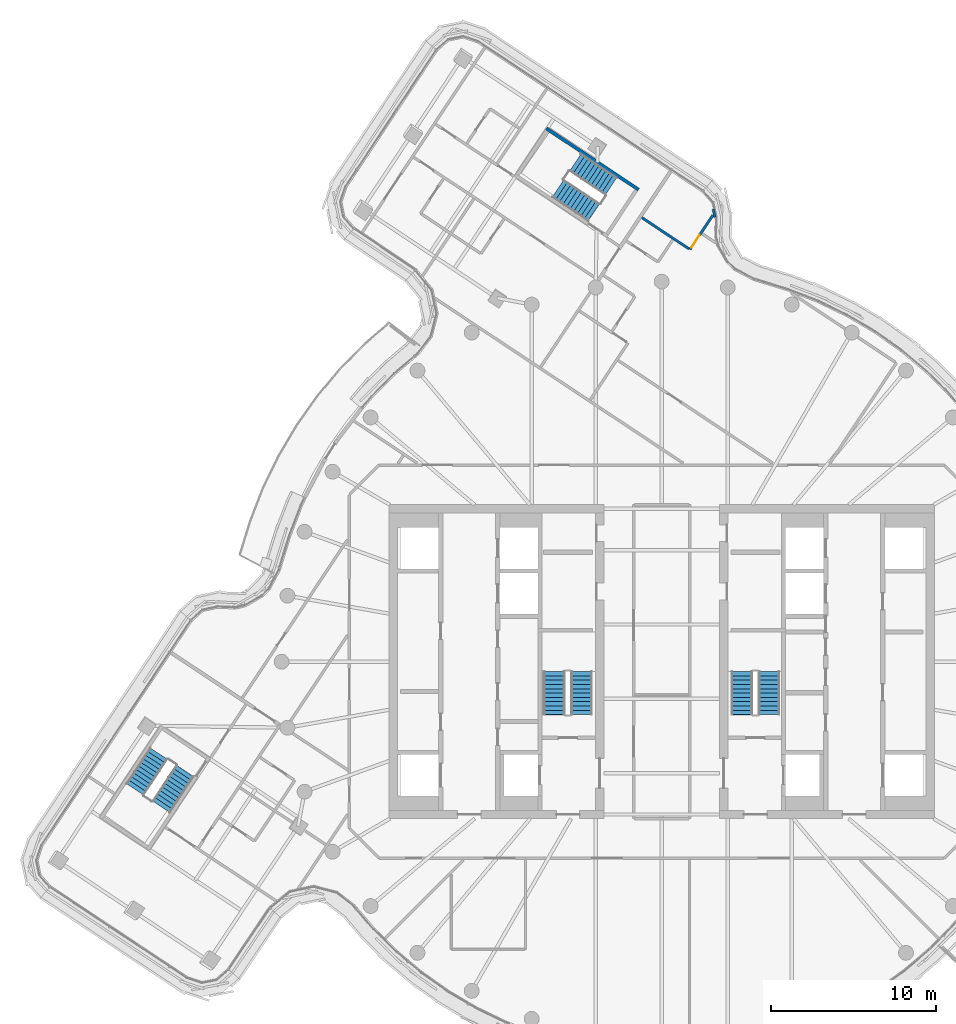
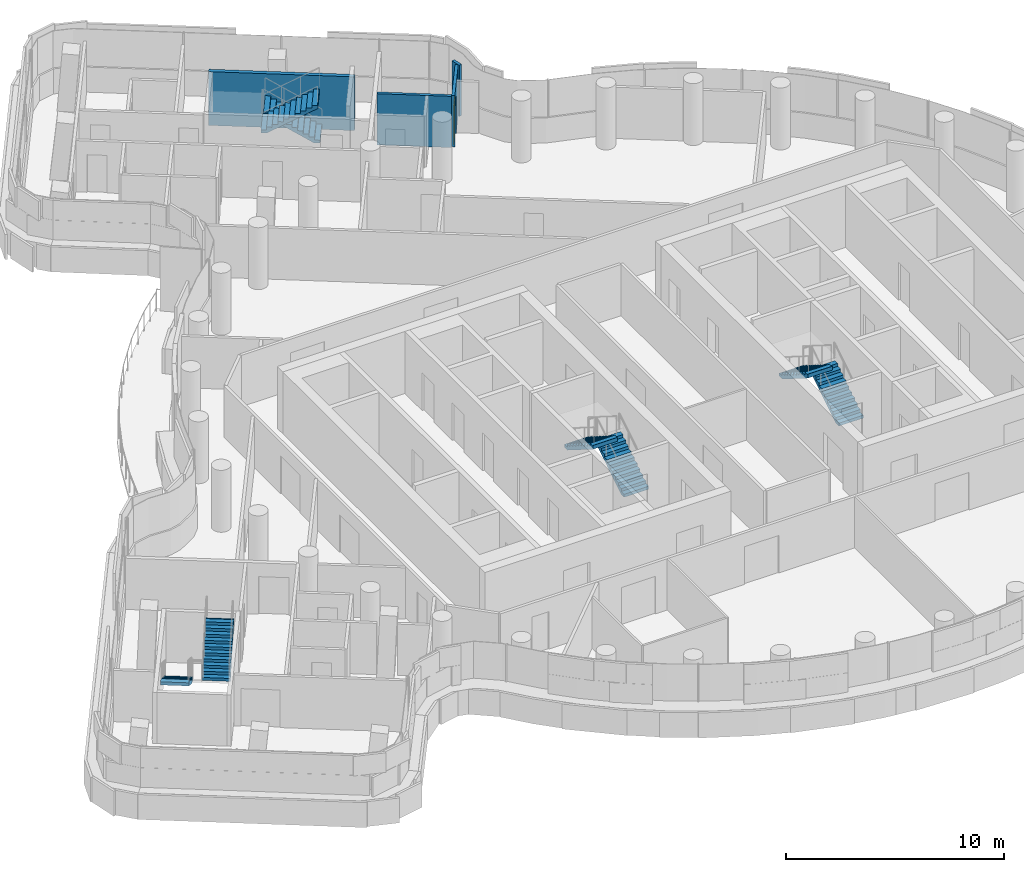
# One storey, part 21 of 27: 8 stair flights, 4 walls, 1 door, 1 opening, 4 elements without a shape of their own.
"""IFC4 building model written with IfcOpenShell, lengths in metres."""

from ifc_helpers import new_model, si_unit, direction, frame, frame_2d, origin, place, context, subcontext, project, spatial, polyline, rectangle, outline, extrude, material, layer, layer_set, type_object, element, fill, aggregate, save


model = new_model("IFC4")

# Units and contexts
model_context = context("Model", 3, precision=1e-05, world=origin(), true_north=direction((0.0, 1.0)))
body_context = subcontext(model_context, "Body", "Model", "MODEL_VIEW")
ifc_project = project(units=[si_unit("LENGTHUNIT", "METRE"), si_unit("AREAUNIT", "SQUARE_METRE"), si_unit("VOLUMEUNIT", "CUBIC_METRE"), si_unit("PLANEANGLEUNIT", "RADIAN"), si_unit("MASSUNIT", "GRAM", prefix="KILO")], contexts=[model_context])

# Site, building, storey
site_placement = place(None, origin())
site = spatial("IfcSite", under=ifc_project, at=site_placement, CompositionType="ELEMENT")
building_placement = place(site_placement, origin())
building = spatial("IfcBuilding", under=site, at=building_placement, Name="Tamarind Cross Interchange Tower", CompositionType="ELEMENT")
storey_placement = place(building_placement, frame((0.0, 0.0, 237.89990234375)))
storey = spatial("IfcBuildingStorey", under=building, at=storey_placement, Name="L60", CompositionType="ELEMENT", Elevation=237.89990234375)

# Wall
ifc_material_1 = material(Name="Gypsum board partition on steel studs", Category="steel")
ifc_layer_1 = layer(ifc_material_1, 0.14990234375)
ifc_layer_set_1 = layer_set([ifc_layer_1], Name="Gypsum board partition on steel studs")
wall_type_1 = type_object("IfcWallType", Name="Partition 150 mm EI 120", PredefinedType="PARTITIONING", material=ifc_layer_set_1)
wall_1_placement = place(storey_placement, frame((-1.20166015625, 26.878662109375, 0.0), z_axis=(0.0, 0.0, 1.0), x_axis=(0.8331360396, -0.55306811472, 0.0)))
element("IfcWall", 1, at=wall_1_placement, inside=storey, type_object=wall_type_1, Name="Partition L60-023", PredefinedType="PARTITIONING", context=body_context, shape_type="SweptSolid", body=[
    extrude(rectangle(XDim=3.419677734375, YDim=0.14990234375, at=frame_2d((1.7099609375, 0.0))), origin(), (0.0, 0.0, 1.0), 2.864013671875),
])

# Wall, opening, door
wall_2_placement = place(storey_placement, frame((1.7138671875, 24.943115234375, 0.0), z_axis=(0.0, 0.0, 1.0), x_axis=(0.55306516675, 0.833137996569, 0.0)))
wall_2 = element("IfcWall", 2, at=wall_2_placement, inside=storey, type_object=wall_type_1, Name="Partition L60-054", PredefinedType="PARTITIONING", context=body_context, shape_type="SweptSolid", body=[
    extrude(rectangle(XDim=2.482666015625, YDim=0.14990234375, at=frame_2d((1.2412109375, 0.0))), origin(), (0.0, 0.0, 1.0), 2.864013671875),
])
opening_placement = place(wall_2_placement, frame((0.14990234375, 0.0, 0.0)))
opening = element("IfcOpeningElement", 3, at=opening_placement, cuts=wall_2, Name="Opening D27", PredefinedType="OPENING", context=body_context, shape_type="SweptSolid", body=[
    extrude(rectangle(XDim=0.89990234375, YDim=2.10009765625, at=frame_2d((0.449951171875, 1.050048828125))), frame((0.0, 0.0849609375, 0.0), z_axis=(0.0, -1.0, 0.0), x_axis=(1.0, 0.0, 0.0)), (0.0, 0.0, 1.0), 0.169921875),
])
ifc_material_2 = material(Name="Fire-resisting door set")
door_type = type_object("IfcDoorType", Name="Interior door 900 x 2100 FD60S", OperationType="SINGLE_SWING_LEFT", PredefinedType="DOOR", material=ifc_material_2)
door_placement = place(opening_placement, origin())
door = element("IfcDoor", 4, at=door_placement, inside=storey, type_object=door_type, Name="Door D27", OperationType="SINGLE_SWING_RIGHT", OverallHeight=2.10009765625, OverallWidth=0.89990234375, PredefinedType="DOOR", context=body_context, shape_type="SweptSolid", body=[
    extrude(rectangle(XDim=0.89990234375, YDim=2.10009765625, at=frame_2d((0.449951171875, 1.050048828125))), frame((0.0, 0.02490234375, 0.0), z_axis=(0.0, -1.0, 0.0), x_axis=(1.0, 0.0, 0.0)), (0.0, 0.0, 1.0), 0.050048828125),
])
fill(opening, door)

# Walls
wall_3_placement = place(storey_placement, frame((3.2255859375, 26.896484375, 0.0), z_axis=(0.0, 0.0, 1.0), x_axis=(-0.212429644331, 0.977176363923, 0.0)))
element("IfcWall", 5, at=wall_3_placement, inside=storey, type_object=wall_type_1, Name="Partition L60-065", PredefinedType="PARTITIONING", context=body_context, shape_type="SweptSolid", body=[
    extrude(rectangle(XDim=0.5, YDim=0.14990234375, at=frame_2d((0.25, 0.0))), origin(), (0.0, 0.0, 1.0), 2.864013671875),
])
ifc_material_3 = material(Name="Concrete C40", Category="concrete")
ifc_layer_2 = layer(ifc_material_3, 0.199951171875)
ifc_layer_set_2 = layer_set([ifc_layer_2], Name="Concrete C40")
wall_type_2 = type_object("IfcWallType", Name="Stair shaft wall 200 mm Concrete C40", PredefinedType="SHEAR", material=ifc_layer_set_2)
wall_4_placement = place(storey_placement, frame((-1.3994140625, 28.570556640625, -0.139892578125), z_axis=(0.0, 0.0, 1.0), x_axis=(-0.833108314858, 0.55310987671, 0.0)))
element("IfcWall", 6, at=wall_4_placement, inside=storey, type_object=wall_type_2, Name="Core wall CWL-L60-ST4-C", PredefinedType="SHEAR", context=body_context, shape_type="SweptSolid", body=[
    extrude(rectangle(XDim=6.699951171875, YDim=0.199951171875, at=frame_2d((3.35009765625, 0.0))), origin(), (0.0, 0.0, 1.0), 3.00390625),
])

# Stair, stair flights
ifc_material_4 = material(Name="Exit stair")
stair_type = type_object("IfcStairType", Name="Exit stair", PredefinedType="HALF_TURN_STAIR", material=ifc_material_4)
stair_1_placement = place(storey_placement, origin())
stair_1 = element("IfcStair", 7, at=stair_1_placement, inside=storey, type_object=stair_type, Name="L60 exit stair ST1", PredefinedType="HALF_TURN_STAIR")
ifc_material_5 = material(Name="Exit stair flight")
stair_flight_type = type_object("IfcStairFlightType", Name="Exit stair flight", PredefinedType="STRAIGHT", material=ifc_material_5)
stair_flight_1_placement = place(storey_placement, frame((-4.85009765625, -3.199951171875, 0.0), z_axis=(0.0, 0.0, 1.0), x_axis=(0.0, 1.0, 0.0)))
stair_flight_1 = element("IfcStairFlight", 8, at=stair_flight_1_placement, type_object=stair_flight_type, Name="ST1 flight 1", NumberOfRisers=11, NumberOfTreads=10, PredefinedType="STRAIGHT", RiserHeight=0.163636364, TreadLength=0.26, context=body_context, shape_type="SweptSolid", body=[
    extrude(outline(polyline([(0.0, 0.0), (0.0, 0.16357421875), (0.260009765625, 0.16357421875), (0.260009765625, 0.327392578125), (0.52001953125, 0.327392578125), (0.52001953125, 0.490966796875), (0.780029296875, 0.490966796875), (0.780029296875, 0.654541015625), (1.0400390625, 0.654541015625), (1.0400390625, 0.818115234375), (1.300048828125, 0.818115234375), (1.300048828125, 0.98193359375), (1.56005859375, 0.98193359375), (1.56005859375, 1.1455078125), (1.820068359375, 1.1455078125), (1.820068359375, 1.30908203125), (2.080078125, 1.30908203125), (2.080078125, 1.47265625), (2.340087890625, 1.47265625), (2.340087890625, 1.636474609375), (2.60009765625, 1.636474609375), (2.60009765625, 1.800048828125), (2.60009765625, 1.459228515625), (0.281494140625, 0.0), (0.0, 0.0)])), frame((0.0, 0.64990234375, 0.0), z_axis=(0.0, -1.0, 0.0), x_axis=(1.0, 0.0, 0.0)), (0.0, 0.0, 1.0), 1.300048828125),
])
stair_flight_2_placement = place(storey_placement, frame((-6.5, -0.60009765625, 1.800048828125), z_axis=(0.0, 0.0, 1.0), x_axis=(0.0, -1.0, 0.0)))
stair_flight_2 = element("IfcStairFlight", 9, at=stair_flight_2_placement, type_object=stair_flight_type, Name="ST1 flight 2", NumberOfRisers=11, NumberOfTreads=10, PredefinedType="STRAIGHT", RiserHeight=0.163636364, TreadLength=0.26, context=body_context, shape_type="SweptSolid", body=[
    extrude(outline(polyline([(0.0, 0.0), (0.0, 0.16357421875), (0.260009765625, 0.16357421875), (0.260009765625, 0.327392578125), (0.52001953125, 0.327392578125), (0.52001953125, 0.490966796875), (0.780029296875, 0.490966796875), (0.780029296875, 0.654541015625), (1.0400390625, 0.654541015625), (1.0400390625, 0.818115234375), (1.300048828125, 0.818115234375), (1.300048828125, 0.98193359375), (1.56005859375, 0.98193359375), (1.56005859375, 1.1455078125), (1.820068359375, 1.1455078125), (1.820068359375, 1.30908203125), (2.080078125, 1.30908203125), (2.080078125, 1.47265625), (2.340087890625, 1.47265625), (2.340087890625, 1.636474609375), (2.60009765625, 1.636474609375), (2.60009765625, 1.679931640625), (2.612060546875, 1.679931640625), (2.612060546875, 1.466796875), (0.281494140625, 0.0), (0.0, 0.0)])), frame((0.0, 0.64990234375, 0.0), z_axis=(0.0, -1.0, 0.0), x_axis=(1.0, 0.0, 0.0)), (0.0, 0.0, 1.0), 1.300048828125),
])
aggregate(stair_1, [stair_flight_1, stair_flight_2])

stair_2_placement = place(storey_placement, origin())
stair_2 = element("IfcStair", 10, at=stair_2_placement, inside=storey, type_object=stair_type, Name="L60 exit stair ST2", PredefinedType="HALF_TURN_STAIR")
stair_flight_3_placement = place(storey_placement, frame((6.5, -3.199951171875, 0.0), z_axis=(0.0, 0.0, 1.0), x_axis=(0.0, 1.0, 0.0)))
stair_flight_3 = element("IfcStairFlight", 11, at=stair_flight_3_placement, type_object=stair_flight_type, Name="ST2 flight 1", NumberOfRisers=11, NumberOfTreads=10, PredefinedType="STRAIGHT", RiserHeight=0.163636364, TreadLength=0.26, context=body_context, shape_type="SweptSolid", body=[
    extrude(outline(polyline([(0.0, 0.0), (0.0, 0.16357421875), (0.260009765625, 0.16357421875), (0.260009765625, 0.327392578125), (0.52001953125, 0.327392578125), (0.52001953125, 0.490966796875), (0.780029296875, 0.490966796875), (0.780029296875, 0.654541015625), (1.0400390625, 0.654541015625), (1.0400390625, 0.818115234375), (1.300048828125, 0.818115234375), (1.300048828125, 0.98193359375), (1.56005859375, 0.98193359375), (1.56005859375, 1.1455078125), (1.820068359375, 1.1455078125), (1.820068359375, 1.30908203125), (2.080078125, 1.30908203125), (2.080078125, 1.47265625), (2.340087890625, 1.47265625), (2.340087890625, 1.636474609375), (2.60009765625, 1.636474609375), (2.60009765625, 1.800048828125), (2.60009765625, 1.459228515625), (0.281494140625, 0.0), (0.0, 0.0)])), frame((0.0, 0.64990234375, 0.0), z_axis=(0.0, -1.0, 0.0), x_axis=(1.0, 0.0, 0.0)), (0.0, 0.0, 1.0), 1.300048828125),
])
stair_flight_4_placement = place(storey_placement, frame((4.85009765625, -0.60009765625, 1.800048828125), z_axis=(0.0, 0.0, 1.0), x_axis=(0.0, -1.0, 0.0)))
stair_flight_4 = element("IfcStairFlight", 12, at=stair_flight_4_placement, type_object=stair_flight_type, Name="ST2 flight 2", NumberOfRisers=11, NumberOfTreads=10, PredefinedType="STRAIGHT", RiserHeight=0.163636364, TreadLength=0.26, context=body_context, shape_type="SweptSolid", body=[
    extrude(outline(polyline([(0.0, 0.0), (0.0, 0.16357421875), (0.260009765625, 0.16357421875), (0.260009765625, 0.327392578125), (0.52001953125, 0.327392578125), (0.52001953125, 0.490966796875), (0.780029296875, 0.490966796875), (0.780029296875, 0.654541015625), (1.0400390625, 0.654541015625), (1.0400390625, 0.818115234375), (1.300048828125, 0.818115234375), (1.300048828125, 0.98193359375), (1.56005859375, 0.98193359375), (1.56005859375, 1.1455078125), (1.820068359375, 1.1455078125), (1.820068359375, 1.30908203125), (2.080078125, 1.30908203125), (2.080078125, 1.47265625), (2.340087890625, 1.47265625), (2.340087890625, 1.636474609375), (2.60009765625, 1.636474609375), (2.60009765625, 1.679931640625), (2.612060546875, 1.679931640625), (2.612060546875, 1.466796875), (0.281494140625, 0.0), (0.0, 0.0)])), frame((0.0, 0.64990234375, 0.0), z_axis=(0.0, -1.0, 0.0), x_axis=(1.0, 0.0, 0.0)), (0.0, 0.0, 1.0), 1.300048828125),
])
aggregate(stair_2, [stair_flight_3, stair_flight_4])

stair_3_placement = place(storey_placement, origin())
stair_3 = element("IfcStair", 13, at=stair_3_placement, inside=storey, type_object=stair_type, Name="L60 exit stair ST4", PredefinedType="HALF_TURN_STAIR")
stair_flight_5_placement = place(storey_placement, frame((-3.063720703125, 28.775390625, 0.0), z_axis=(0.0, 0.0, 1.0), x_axis=(-0.833106637229, 0.55311240359, 0.0)))
stair_flight_5 = element("IfcStairFlight", 14, at=stair_flight_5_placement, type_object=stair_flight_type, Name="ST4 flight 1", NumberOfRisers=11, NumberOfTreads=10, PredefinedType="STRAIGHT", RiserHeight=0.163636364, TreadLength=0.26, context=body_context, shape_type="SweptSolid", body=[
    extrude(outline(polyline([(0.0, 0.0), (0.0, 0.16357421875), (0.260009765625, 0.16357421875), (0.260009765625, 0.327392578125), (0.52001953125, 0.327392578125), (0.52001953125, 0.490966796875), (0.780029296875, 0.490966796875), (0.780029296875, 0.654541015625), (1.0400390625, 0.654541015625), (1.0400390625, 0.818115234375), (1.300048828125, 0.818115234375), (1.300048828125, 0.98193359375), (1.56005859375, 0.98193359375), (1.56005859375, 1.1455078125), (1.820068359375, 1.1455078125), (1.820068359375, 1.30908203125), (2.080078125, 1.30908203125), (2.080078125, 1.47265625), (2.340087890625, 1.47265625), (2.340087890625, 1.636474609375), (2.60009765625, 1.636474609375), (2.60009765625, 1.800048828125), (2.60009765625, 1.459228515625), (0.281494140625, 0.0), (0.0, 0.0)])), frame((0.0, 0.64990234375, 0.0), z_axis=(0.0, -1.0, 0.0), x_axis=(1.0, 0.0, 0.0)), (0.0, 0.0, 1.0), 1.300048828125),
])
stair_flight_6_placement = place(storey_placement, frame((-6.28076171875, 28.630615234375, 1.800048828125), z_axis=(0.0, 0.0, 1.0), x_axis=(0.833106637229, -0.55311240359, 0.0)))
stair_flight_6 = element("IfcStairFlight", 15, at=stair_flight_6_placement, type_object=stair_flight_type, Name="ST4 flight 2", NumberOfRisers=11, NumberOfTreads=10, PredefinedType="STRAIGHT", RiserHeight=0.163636364, TreadLength=0.26, context=body_context, shape_type="SweptSolid", body=[
    extrude(outline(polyline([(0.0, 0.0), (0.0, 0.16357421875), (0.260009765625, 0.16357421875), (0.260009765625, 0.327392578125), (0.52001953125, 0.327392578125), (0.52001953125, 0.490966796875), (0.780029296875, 0.490966796875), (0.780029296875, 0.654541015625), (1.0400390625, 0.654541015625), (1.0400390625, 0.818115234375), (1.300048828125, 0.818115234375), (1.300048828125, 0.98193359375), (1.56005859375, 0.98193359375), (1.56005859375, 1.1455078125), (1.820068359375, 1.1455078125), (1.820068359375, 1.30908203125), (2.080078125, 1.30908203125), (2.080078125, 1.47265625), (2.340087890625, 1.47265625), (2.340087890625, 1.636474609375), (2.60009765625, 1.636474609375), (2.60009765625, 1.679931640625), (2.612060546875, 1.679931640625), (2.612060546875, 1.466796875), (0.281494140625, 0.0), (0.0, 0.0)])), frame((0.0, 0.64990234375, 0.0), z_axis=(0.0, -1.0, 0.0), x_axis=(1.0, 0.0, 0.0)), (0.0, 0.0, 1.0), 1.300048828125),
])
aggregate(stair_3, [stair_flight_5, stair_flight_6])

stair_4_placement = place(storey_placement, origin())
stair_4 = element("IfcStair", 16, at=stair_4_placement, inside=storey, type_object=stair_type, Name="L60 exit stair ST5", PredefinedType="HALF_TURN_STAIR")
stair_flight_7_placement = place(storey_placement, frame((-30.434814453125, -5.56298828125, 0.0), z_axis=(0.0, 0.0, 1.0), x_axis=(-0.55311240359, -0.833106637229, 0.0)))
stair_flight_7 = element("IfcStairFlight", 17, at=stair_flight_7_placement, type_object=stair_flight_type, Name="ST5 flight 1", NumberOfRisers=11, NumberOfTreads=10, PredefinedType="STRAIGHT", RiserHeight=0.163636364, TreadLength=0.26, context=body_context, shape_type="SweptSolid", body=[
    extrude(outline(polyline([(0.0, 0.0), (0.0, 0.16357421875), (0.260009765625, 0.16357421875), (0.260009765625, 0.327392578125), (0.52001953125, 0.327392578125), (0.52001953125, 0.490966796875), (0.780029296875, 0.490966796875), (0.780029296875, 0.654541015625), (1.0400390625, 0.654541015625), (1.0400390625, 0.818115234375), (1.300048828125, 0.818115234375), (1.300048828125, 0.98193359375), (1.56005859375, 0.98193359375), (1.56005859375, 1.1455078125), (1.820068359375, 1.1455078125), (1.820068359375, 1.30908203125), (2.080078125, 1.30908203125), (2.080078125, 1.47265625), (2.340087890625, 1.47265625), (2.340087890625, 1.636474609375), (2.60009765625, 1.636474609375), (2.60009765625, 1.800048828125), (2.60009765625, 1.459228515625), (0.281494140625, 0.0), (0.0, 0.0)])), frame((0.0, 0.64990234375, 0.0), z_axis=(0.0, -1.0, 0.0), x_axis=(1.0, 0.0, 0.0)), (0.0, 0.0, 1.0), 1.300048828125),
])
stair_flight_8_placement = place(storey_placement, frame((-30.289794921875, -8.780029296875, 1.800048828125), z_axis=(0.0, 0.0, 1.0), x_axis=(0.55311240359, 0.833106637229, 0.0)))
stair_flight_8 = element("IfcStairFlight", 18, at=stair_flight_8_placement, type_object=stair_flight_type, Name="ST5 flight 2", NumberOfRisers=11, NumberOfTreads=10, PredefinedType="STRAIGHT", RiserHeight=0.163636364, TreadLength=0.26, context=body_context, shape_type="SweptSolid", body=[
    extrude(outline(polyline([(0.0, 0.0), (0.0, 0.16357421875), (0.260009765625, 0.16357421875), (0.260009765625, 0.327392578125), (0.52001953125, 0.327392578125), (0.52001953125, 0.490966796875), (0.780029296875, 0.490966796875), (0.780029296875, 0.654541015625), (1.0400390625, 0.654541015625), (1.0400390625, 0.818115234375), (1.300048828125, 0.818115234375), (1.300048828125, 0.98193359375), (1.56005859375, 0.98193359375), (1.56005859375, 1.1455078125), (1.820068359375, 1.1455078125), (1.820068359375, 1.30908203125), (2.080078125, 1.30908203125), (2.080078125, 1.47265625), (2.340087890625, 1.47265625), (2.340087890625, 1.636474609375), (2.60009765625, 1.636474609375), (2.60009765625, 1.679931640625), (2.612060546875, 1.679931640625), (2.612060546875, 1.466796875), (0.281494140625, 0.0), (0.0, 0.0)])), frame((0.0, 0.64990234375, 0.0), z_axis=(0.0, -1.0, 0.0), x_axis=(1.0, 0.0, 0.0)), (0.0, 0.0, 1.0), 1.300048828125),
])
aggregate(stair_4, [stair_flight_7, stair_flight_8])

save(model, "model.ifc")
